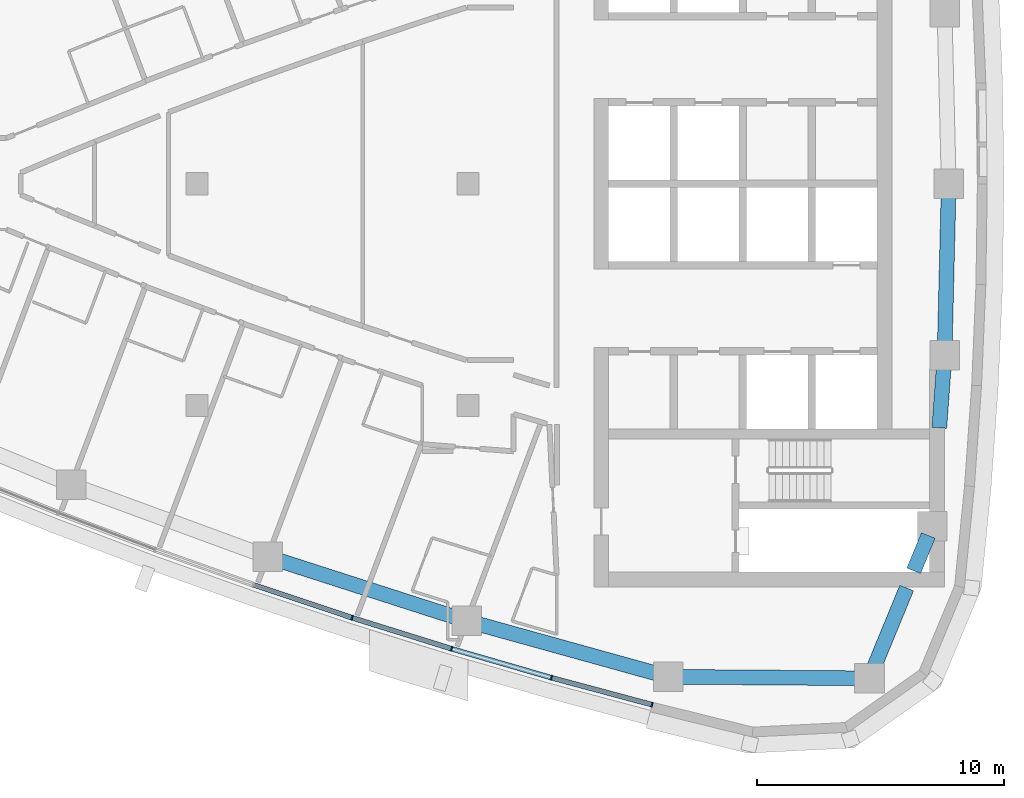
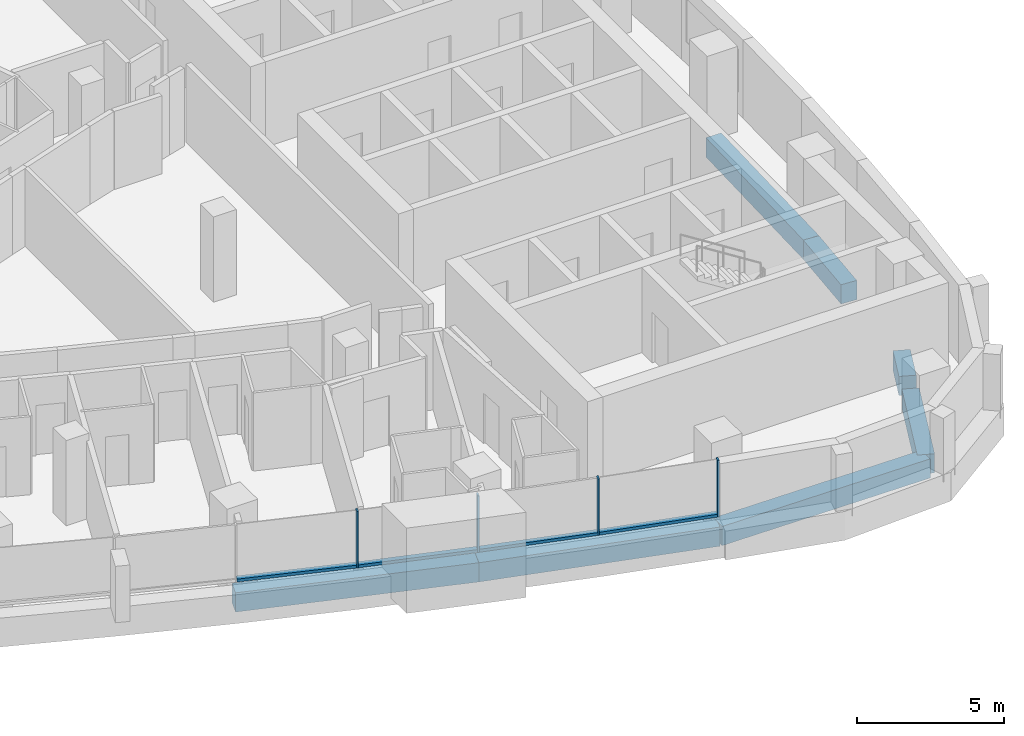
# One storey, part 4 of 16: 8 members, 7 beams, 2 elements without a shape of their own.
"""IFC4 building model written with IfcOpenShell, lengths in metres."""

from ifc_helpers import new_model, si_unit, direction, frame, origin, origin_2d, place, context, subcontext, project, spatial, rectangle, extrude, material, layer, layer_set, material_profile, profile_set, type_object, element, aggregate, save


model = new_model("IFC4")

# Units and contexts
model_context = context("Model", 3, precision=1e-05, world=origin(), true_north=direction((0.0, 1.0)))
body_context = subcontext(model_context, "Body", "Model", "MODEL_VIEW")
ifc_project = project(units=[si_unit("LENGTHUNIT", "METRE"), si_unit("AREAUNIT", "SQUARE_METRE"), si_unit("VOLUMEUNIT", "CUBIC_METRE"), si_unit("PLANEANGLEUNIT", "RADIAN"), si_unit("MASSUNIT", "GRAM", prefix="KILO")], contexts=[model_context])

# Site, building, storey
site_placement = place(None, origin())
site = spatial("IfcSite", under=ifc_project, at=site_placement, CompositionType="ELEMENT")
building_placement = place(site_placement, origin())
building = spatial("IfcBuilding", under=site, at=building_placement, Name="Ostrand Prow Hotel Tower", CompositionType="ELEMENT")
storey_placement = place(building_placement, frame((0.0, 0.0, 249.199951171875)))
storey = spatial("IfcBuildingStorey", under=building, at=storey_placement, Name="L63", CompositionType="ELEMENT", Elevation=249.199951171875)

# Beams
ifc_material_1 = material(Name="Concrete C50/60", Category="concrete")
ifc_material_profile_1 = material_profile(ifc_material_1, rectangle(XDim=0.60009765625, YDim=0.800048828125, at=origin_2d()), Name="RC 600x800")
ifc_profile_set_1 = profile_set([ifc_material_profile_1], Name="Concrete C50/60")
beam_type = type_object("IfcBeamType", Name="Edge beam 600x800 C50/60", PredefinedType="SPANDREL", material=ifc_profile_set_1)
for number, where, z_axis, x_axis, name in (
    (1, (36.8671875, -15.131591796875, -0.699951171875), (0.95193933362, -0.306286638798, 0.0), (0.306286638798, 0.95193933362, 0.0), "Edge beam S4-S5"),
    (2, (44.94677734375, -17.731201171875, -0.699951171875), (0.963625802813, -0.267255144297, 0.0), (0.267255144297, 0.963625802813, 0.0), "Edge beam S5-S6"),
):
    element("IfcBeam", number, at=place(storey_placement, frame(where, z_axis=z_axis, x_axis=x_axis)), inside=storey, type_object=beam_type, Name=name, PredefinedType="SPANDREL", context=body_context, shape_type="SweptSolid", body=[
        extrude(rectangle(XDim=0.60009765625, YDim=0.800048828125, at=origin_2d()), origin(), (0.0, 0.0, 1.0), 8.487548828125),
    ])
beam_1_placement = place(storey_placement, frame((53.12548828125, -19.99951171875, -0.699951171875), z_axis=(0.999970657582, -0.007660546678, 0.0), x_axis=(0.007660546678, 0.999970657582, 0.0)))
element("IfcBeam", 3, at=beam_1_placement, inside=storey, type_object=beam_type, Name="Edge beam S6-SE", PredefinedType="SPANDREL", context=body_context, shape_type="SweptSolid", body=[
    extrude(rectangle(XDim=0.60009765625, YDim=0.800048828125, at=origin_2d()), origin(), (0.0, 0.0, 1.0), 8.15869140625),
])
beam_2_placement = place(storey_placement, frame((61.283935546875, -20.06201171875, -0.699951171875), z_axis=(0.380777709221, 0.924666608114, 0.0), x_axis=(-0.924666608114, 0.380777709221, 0.0)))
element("IfcBeam", 4, at=beam_2_placement, inside=storey, type_object=beam_type, Name="Edge beam SE-B1", PredefinedType="SPANDREL", context=body_context, shape_type="SweptSolid", body=[
    extrude(rectangle(XDim=0.60009765625, YDim=0.800048828125, at=origin_2d()), origin(), (0.0, 0.0, 1.0), 3.96044921875),
])
beam_3_placement = place(storey_placement, frame((63.080078125, -15.699951171875, -0.699951171875), z_axis=(0.380773585759, 0.924668306145, 0.0), x_axis=(-0.924668306145, 0.380773585759, 0.0)))
element("IfcBeam", 5, at=beam_3_placement, inside=storey, type_object=beam_type, Name="Edge beam SE-B1", PredefinedType="SPANDREL", context=body_context, shape_type="SweptSolid", body=[
    extrude(rectangle(XDim=0.60009765625, YDim=0.800048828125, at=origin_2d()), origin(), (0.0, 0.0, 1.0), 1.549072265625),
])
beam_4_placement = place(storey_placement, frame((64.11669921875, -9.89990234375, -0.699951171875), z_axis=(0.072691068771, 0.997354504938, 0.0), x_axis=(-0.997354504938, 0.072691068771, 0.0)))
element("IfcBeam", 6, at=beam_4_placement, inside=storey, type_object=beam_type, Name="Edge beam B1-B2", PredefinedType="SPANDREL", context=body_context, shape_type="SweptSolid", body=[
    extrude(rectangle(XDim=0.60009765625, YDim=0.800048828125, at=origin_2d()), origin(), (0.0, 0.0, 1.0), 2.95556640625),
])
beam_5_placement = place(storey_placement, frame((64.33154296875, -6.9521484375, -0.699951171875), z_axis=(0.024223820991, 0.999706560195, 0.0), x_axis=(-0.999706560195, 0.024223820991, 0.0)))
element("IfcBeam", 7, at=beam_5_placement, inside=storey, type_object=beam_type, Name="Edge beam B2-B3", PredefinedType="SPANDREL", context=body_context, shape_type="SweptSolid", body=[
    extrude(rectangle(XDim=0.60009765625, YDim=0.800048828125, at=origin_2d()), origin(), (0.0, 0.0, 1.0), 6.9541015625),
])

# Curtain wall, members
ifc_material_2 = material(Name="Insulated glass in bronze anodised frame", Category="glass")
ifc_layer = layer(ifc_material_2, 0.199951171875)
ifc_layer_set = layer_set([ifc_layer], Name="Insulated glass in bronze anodised frame")
curtain_wall_type = type_object("IfcCurtainWallType", Name="Strip curtain wall, fritted glass over bronze spandrel", PredefinedType="NOTDEFINED", material=ifc_layer_set)
curtain_wall_1_placement = place(storey_placement, origin())
curtain_wall_1 = element("IfcCurtainWall", 8, at=curtain_wall_1_placement, inside=storey, type_object=curtain_wall_type, Name="CW1 run CWS4", PredefinedType="NOTDEFINED")
ifc_material_3 = material(Name="Bronze anodised aluminium", Category="aluminium")
ifc_material_profile_2 = material_profile(ifc_material_3, rectangle(XDim=0.199951171875, YDim=0.06005859375, at=origin_2d()), Name="Mullion 60x200 bronze anodised aluminium")
ifc_profile_set_2 = profile_set([ifc_material_profile_2], Name="Bronze anodised aluminium")
member_type_1 = type_object("IfcMemberType", Name="Mullion 60x200 bronze anodised aluminium", PredefinedType="MULLION", material=ifc_profile_set_2)
member_1_placement = place(storey_placement, frame((40.297119140625, -17.605712890625, 0.900146484375), z_axis=(0.0, 0.0, 1.0), x_axis=(0.297678138765, 0.95466629023, 0.0)))
member_1 = element("IfcMember", 9, at=member_1_placement, type_object=member_type_1, Name="CW1 mullion 2", PredefinedType="MULLION", context=body_context, shape_type="SweptSolid", body=[
    extrude(rectangle(XDim=0.199951171875, YDim=0.06005859375, at=origin_2d()), origin(), (0.0, 0.0, 1.0), 2.349853515625),
])
member_2_placement = place(storey_placement, frame((44.3291015625, -18.863037109375, 0.900146484375), z_axis=(0.0, 0.0, 1.0), x_axis=(0.297678138765, 0.95466629023, 0.0)))
member_2 = element("IfcMember", 10, at=member_2_placement, type_object=member_type_1, Name="CW1 mullion 3", PredefinedType="MULLION", context=body_context, shape_type="SweptSolid", body=[
    extrude(rectangle(XDim=0.199951171875, YDim=0.06005859375, at=origin_2d()), origin(), (0.0, 0.0, 1.0), 2.349853515625),
])

curtain_wall_2_placement = place(storey_placement, origin())
curtain_wall_2 = element("IfcCurtainWall", 11, at=curtain_wall_2_placement, inside=storey, type_object=curtain_wall_type, Name="CW1 run CWS5", PredefinedType="NOTDEFINED")
member_3_placement = place(storey_placement, frame((48.385986328125, -20.038818359375, 0.900146484375), z_axis=(0.0, 0.0, 1.0), x_axis=(0.258994370132, 0.965878831034, 0.0)))
member_3 = element("IfcMember", 12, at=member_3_placement, type_object=member_type_1, Name="CW1 mullion 2", PredefinedType="MULLION", context=body_context, shape_type="SweptSolid", body=[
    extrude(rectangle(XDim=0.199951171875, YDim=0.06005859375, at=origin_2d()), origin(), (0.0, 0.0, 1.0), 2.349853515625),
])
member_4_placement = place(storey_placement, frame((52.465576171875, -21.1328125, 0.900146484375), z_axis=(0.0, 0.0, 1.0), x_axis=(0.258994370132, 0.965878831034, 0.0)))
member_4 = element("IfcMember", 13, at=member_4_placement, type_object=member_type_1, Name="CW1 mullion 3", PredefinedType="MULLION", context=body_context, shape_type="SweptSolid", body=[
    extrude(rectangle(XDim=0.199951171875, YDim=0.06005859375, at=origin_2d()), origin(), (0.0, 0.0, 1.0), 2.349853515625),
])

# Member
ifc_material_4 = material(Name="Bronze anodised aluminium", Category="aluminium")
ifc_material_profile_3 = material_profile(ifc_material_4, rectangle(XDim=0.199951171875, YDim=0.1201171875, at=origin_2d()), Name="Transom 120x200 bronze anodised aluminium")
ifc_profile_set_3 = profile_set([ifc_material_profile_3], Name="Bronze anodised aluminium")
member_type_2 = type_object("IfcMemberType", Name="Transom 120x200 bronze anodised aluminium", PredefinedType="USERDEFINED", material=ifc_profile_set_3)
member_5_placement = place(storey_placement, frame((36.3193359375, -16.277099609375, 0.9599609375), z_axis=(0.948489622939, -0.316808199353, 0.0), x_axis=(0.316808199353, 0.948489622939, 0.0)))
member_5 = element("IfcMember", 14, at=member_5_placement, type_object=member_type_2, Name="CW1 transom 1.1", ObjectType="TRANSOM", PredefinedType="USERDEFINED", context=body_context, shape_type="SweptSolid", body=[
    extrude(rectangle(XDim=0.199951171875, YDim=0.1201171875, at=origin_2d()), origin(), (0.0, 0.0, 1.0), 4.16357421875),
])

member_6_placement = place(storey_placement, frame((40.32568359375, -17.61474609375, 0.9599609375), z_axis=(0.954676966691, -0.297643896746, 0.0), x_axis=(0.297643896746, 0.954676966691, 0.0)))
member_6 = element("IfcMember", 15, at=member_6_placement, type_object=member_type_2, Name="CW1 transom 2.1", ObjectType="TRANSOM", PredefinedType="USERDEFINED", context=body_context, shape_type="SweptSolid", body=[
    extrude(rectangle(XDim=0.199951171875, YDim=0.1201171875, at=origin_2d()), origin(), (0.0, 0.0, 1.0), 4.16357421875),
])

aggregate(curtain_wall_1, [member_1, member_2, member_5, member_6])

member_7_placement = place(storey_placement, frame((44.35791015625, -18.871337890625, 0.9599609375), z_axis=(0.960468183791, -0.278389776976, 0.0), x_axis=(0.278389776976, 0.960468183791, 0.0)))
member_7 = element("IfcMember", 16, at=member_7_placement, type_object=member_type_2, Name="CW1 transom 1.1", ObjectType="TRANSOM", PredefinedType="USERDEFINED", context=body_context, shape_type="SweptSolid", body=[
    extrude(rectangle(XDim=0.199951171875, YDim=0.1201171875, at=origin_2d()), origin(), (0.0, 0.0, 1.0), 4.163818359375),
])

member_8_placement = place(storey_placement, frame((48.4150390625, -20.046630859375, 0.9599609375), z_axis=(0.96587683346, -0.259001819657, 0.0), x_axis=(0.259001819657, 0.96587683346, 0.0)))
member_8 = element("IfcMember", 17, at=member_8_placement, type_object=member_type_2, Name="CW1 transom 2.1", ObjectType="TRANSOM", PredefinedType="USERDEFINED", context=body_context, shape_type="SweptSolid", body=[
    extrude(rectangle(XDim=0.199951171875, YDim=0.1201171875, at=origin_2d()), origin(), (0.0, 0.0, 1.0), 4.16357421875),
])

aggregate(curtain_wall_2, [member_3, member_4, member_7, member_8])

save(model, "model.ifc")
